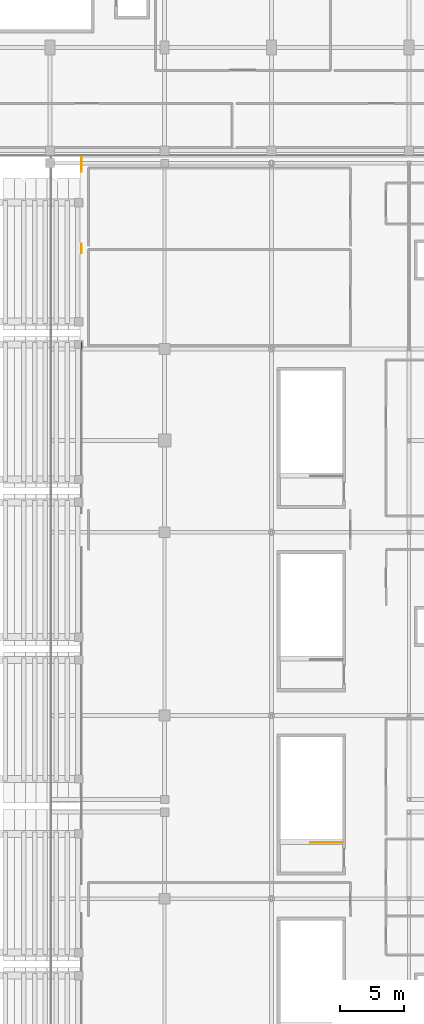
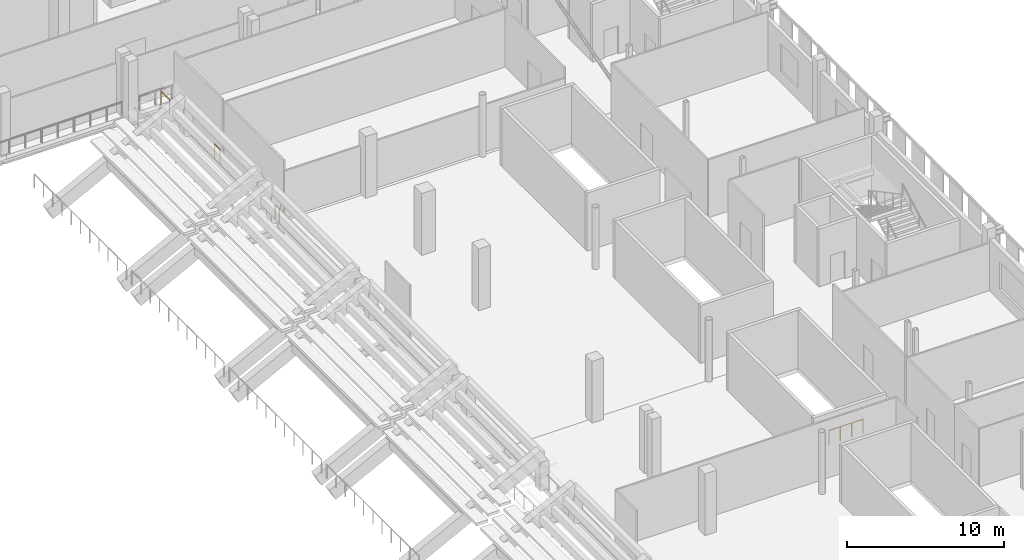
# One storey, part 69 of 74: 4 railings.
"""IFC4 building model written with IfcOpenShell, lengths in metres."""

from ifc_helpers import new_model, si_unit, direction, frame, origin, origin_2d, place, context, subcontext, project, spatial, circle, extrude, material, type_object, element, save


model = new_model("IFC4")

# Units and contexts
model_context = context("Model", 3, precision=1e-05, world=origin(), true_north=direction((0.0, 1.0)))
body_context = subcontext(model_context, "Body", "Model", "MODEL_VIEW")
ifc_project = project(units=[si_unit("LENGTHUNIT", "METRE"), si_unit("AREAUNIT", "SQUARE_METRE"), si_unit("VOLUMEUNIT", "CUBIC_METRE"), si_unit("PLANEANGLEUNIT", "RADIAN"), si_unit("MASSUNIT", "GRAM", prefix="KILO")], contexts=[model_context])

# Site, building, storey
site_placement = place(None, origin())
site = spatial("IfcSite", under=ifc_project, at=site_placement, CompositionType="ELEMENT")
building_placement = place(site_placement, origin())
building = spatial("IfcBuilding", under=site, at=building_placement, Name="Koshinbarg Plaza Stadium", CompositionType="ELEMENT")
storey_placement = place(building_placement, frame((0.0, 0.0, 15.0)))
storey = spatial("IfcBuildingStorey", under=building, at=storey_placement, Name="L03", CompositionType="ELEMENT", Elevation=15.0)

# Railings
ifc_material_1 = material(Name="Toughened laminated glass and stainless steel sightline balustrade", Category="steel")
railing_type_1 = type_object("IfcRailingType", Name="RL-BOWL-1100", PredefinedType="BALUSTRADE", material=ifc_material_1)
railing_1_placement = place(storey_placement, frame((182.8798828125, 111.89990234375, 0.0)))
element("IfcRailing", 1, at=railing_1_placement, inside=storey, type_object=railing_type_1, Name="L03 deck edge safety balustrade 0252", PredefinedType="BALUSTRADE", context=body_context, shape_type="SweptSolid", body=[
    extrude(circle(Radius=0.02392578125, at=origin_2d()), frame((0.0, 0.0, 1.076171875), z_axis=(0.0, 1.0, 0.0), x_axis=(-1.0, 0.0, 0.0)), (0.0, 0.0, 1.0), 0.498291015625),
    extrude(circle(Radius=0.02099609375, at=origin_2d()), origin(), (0.0, 0.0, 1.0), 1.052001953125),
    extrude(circle(Radius=0.02099609375, at=origin_2d()), frame((0.0, 0.498291015625, 0.0)), (0.0, 0.0, 1.0), 1.052001953125),
])
railing_2_placement = place(storey_placement, frame((182.8798828125, 119.451171875, 0.0)))
element("IfcRailing", 2, at=railing_2_placement, inside=storey, type_object=railing_type_1, Name="L03 deck edge safety balustrade 0253", PredefinedType="BALUSTRADE", context=body_context, shape_type="SweptSolid", body=[
    extrude(circle(Radius=0.02392578125, at=origin_2d()), frame((0.0, 0.0, 1.076171875), z_axis=(0.0, 1.0, 0.0), x_axis=(-1.0, 0.0, 0.0)), (0.0, 0.0, 1.0), 0.697998046875),
    extrude(circle(Radius=0.02099609375, at=origin_2d()), origin(), (0.0, 0.0, 1.0), 1.052001953125),
    extrude(circle(Radius=0.02099609375, at=origin_2d()), frame((0.0, 0.697998046875, 0.0)), (0.0, 0.0, 1.0), 1.052001953125),
])
railing_3_placement = place(storey_placement, frame((182.8798828125, 125.860595703125, 0.0)))
element("IfcRailing", 3, at=railing_3_placement, inside=storey, type_object=railing_type_1, Name="L03 deck edge safety balustrade 0254", PredefinedType="BALUSTRADE", context=body_context, shape_type="SweptSolid", body=[
    extrude(circle(Radius=0.02392578125, at=origin_2d()), frame((0.0, 0.0, 1.076171875), z_axis=(0.0, 1.0, 0.0), x_axis=(-1.0, 0.0, 0.0)), (0.0, 0.0, 1.0), 1.094482421875),
    extrude(circle(Radius=0.02099609375, at=origin_2d()), origin(), (0.0, 0.0, 1.0), 1.052001953125),
    extrude(circle(Radius=0.02099609375, at=origin_2d()), frame((0.0, 1.094482421875, 0.0)), (0.0, 0.0, 1.0), 1.052001953125),
])
ifc_material_2 = material(Name="Galvanized painted steel guardrail", Category="steel")
railing_type_2 = type_object("IfcRailingType", Name="RL-GUARD-1100", PredefinedType="GUARDRAIL", material=ifc_material_2)
railing_4_placement = place(storey_placement, frame((203.3701171875, 73.110107421875, 0.0)))
element("IfcRailing", 4, at=railing_4_placement, inside=storey, type_object=railing_type_2, Name="L03 VX10 top stairwell guard 1", PredefinedType="GUARDRAIL", context=body_context, shape_type="SweptSolid", body=[
    extrude(circle(Radius=0.02392578125, at=origin_2d()), frame((0.0, 0.0, 1.076171875), z_axis=(-1.0, 0.0, 0.0), x_axis=(0.0, -1.0, 0.0)), (0.0, 0.0, 1.0), 2.510009765625),
    extrude(circle(Radius=0.02099609375, at=origin_2d()), origin(), (0.0, 0.0, 1.0), 1.052001953125),
    extrude(circle(Radius=0.02099609375, at=origin_2d()), frame((-0.836669921875, 0.0, 0.0)), (0.0, 0.0, 1.0), 1.052001953125),
    extrude(circle(Radius=0.02099609375, at=origin_2d()), frame((-1.67333984375, 0.0, 0.0)), (0.0, 0.0, 1.0), 1.052001953125),
    extrude(circle(Radius=0.02099609375, at=origin_2d()), frame((-2.510009765625, 0.0, 0.0)), (0.0, 0.0, 1.0), 1.052001953125),
])

save(model, "model.ifc")
